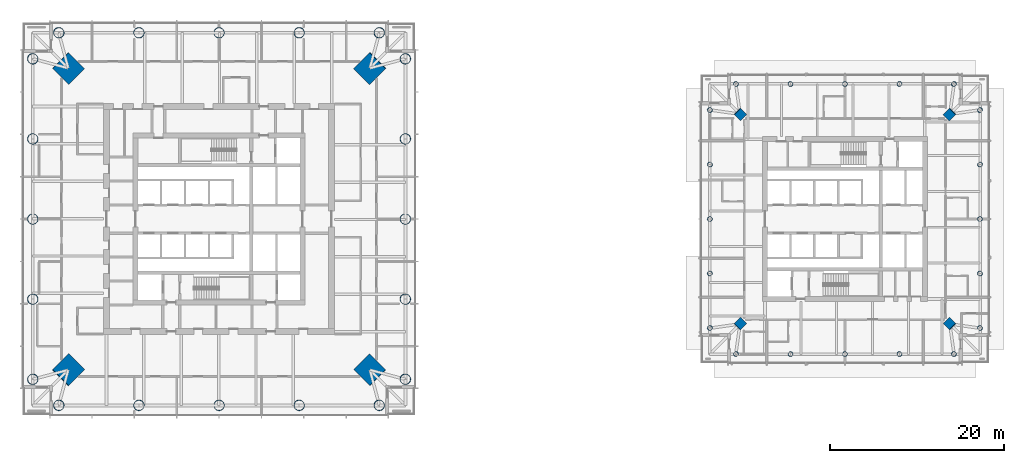
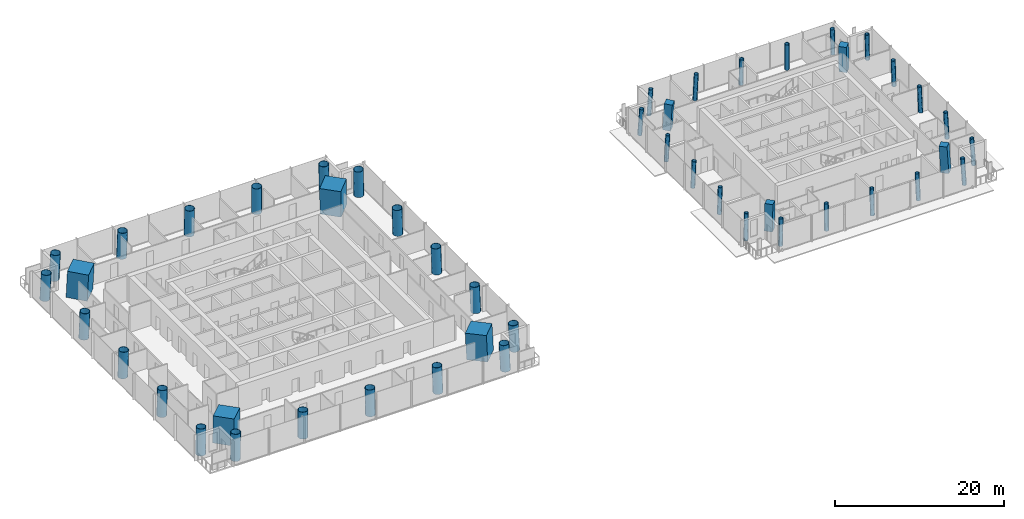
# One storey, part 1 of 20: 48 columns.
"""IFC4 building model written with IfcOpenShell, lengths in metres."""

from ifc_helpers import new_model, si_unit, direction, frame, origin, origin_2d, place, context, subcontext, project, spatial, rectangle, hollow_circle, extrude, material, material_profile, profile_set, type_object, element, save


model = new_model("IFC4")

# Units and contexts
model_context = context("Model", 3, precision=1e-05, world=origin(), true_north=direction((0.0, 1.0)))
body_context = subcontext(model_context, "Body", "Model", "MODEL_VIEW")
ifc_project = project(units=[si_unit("LENGTHUNIT", "METRE"), si_unit("AREAUNIT", "SQUARE_METRE"), si_unit("VOLUMEUNIT", "CUBIC_METRE"), si_unit("PLANEANGLEUNIT", "RADIAN"), si_unit("MASSUNIT", "GRAM", prefix="KILO")], contexts=[model_context])

# Site, building, storey
site_placement = place(None, origin())
site = spatial("IfcSite", under=ifc_project, at=site_placement, CompositionType="ELEMENT")
building_placement = place(site_placement, origin())
building = spatial("IfcBuilding", under=site, at=building_placement, Name="Ostroluk Exchange", CompositionType="ELEMENT")
storey_placement = place(building_placement, frame((0.0, 0.0, 100.800048828125)))
storey = spatial("IfcBuildingStorey", under=building, at=storey_placement, Name="L25", CompositionType="ELEMENT", Elevation=100.800048828125)

# Columns
ifc_material_1 = material(Name="Concrete C50/60", Category="concrete")
ifc_material_profile_1 = material_profile(ifc_material_1, rectangle(XDim=1.0, YDim=1.0, at=origin_2d()), Name="RC 1000x1000")
ifc_profile_set_1 = profile_set([ifc_material_profile_1], Name="Concrete C50/60")
column_type_1 = type_object("IfcColumnType", Name="Mega column RC 1000x1000", PredefinedType="COLUMN", material=ifc_profile_set_1)
for number, where, z_axis, x_axis, name in (
    (1, (129.060302734375, 58.060302734375, 0.0), (-0.043029647111, -0.043029647111, 0.998146732169), (0.707106781187, -0.707106781187, 0.0), "T2 mega column NE"),
    (2, (104.939697265625, 58.060302734375, 0.0), (0.043029647111, -0.043029647111, 0.998146732169), (0.707106781187, 0.707106781187, 0.0), "T2 mega column NW"),
    (3, (104.939697265625, 33.939697265625, 0.0), (0.043029647111, 0.043029647111, 0.998146732169), (-0.707106781187, 0.707106781187, 0.0), "T2 mega column SW"),
    (4, (129.060302734375, 33.939697265625, 0.0), (-0.043029647111, 0.043029647111, 0.998146732169), (-0.707106781187, -0.707106781187, 0.0), "T2 mega column SE"),
):
    element("IfcColumn", number, at=place(storey_placement, frame(where, z_axis=z_axis, x_axis=x_axis)), inside=storey, type_object=column_type_1, Name=name, PredefinedType="COLUMN", context=body_context, shape_type="SweptSolid", body=[
        extrude(rectangle(XDim=1.0, YDim=1.0, at=origin_2d()), origin(), (0.0, 0.0, 1.0), 3.80712890625),
    ])
ifc_material_2 = material(Name="Concrete C50/60", Category="concrete")
ifc_material_profile_2 = material_profile(ifc_material_2, rectangle(XDim=2.60009765625, YDim=2.60009765625, at=origin_2d()), Name="RC 2600x2600")
ifc_profile_set_2 = profile_set([ifc_material_profile_2], Name="Concrete C50/60")
column_type_2 = type_object("IfcColumnType", Name="Mega column RC 2600x2600", PredefinedType="COLUMN", material=ifc_profile_set_2)
for number, where, z_axis, x_axis, name in (
    (5, (62.35009765625, 63.35009765625, 0.0), (-0.031962158256, -0.031962158256, 0.998977898093), (0.707106781187, -0.707106781187, 0.0), "T1 mega column NE"),
    (6, (27.64990234375, 63.35009765625, 0.0), (0.031962158256, -0.031962158256, 0.998977898093), (0.707106781187, 0.707106781187, 0.0), "T1 mega column NW"),
    (7, (27.64990234375, 28.64990234375, 0.0), (0.031962158256, 0.031962158256, 0.998977898093), (-0.707106781187, 0.707106781187, 0.0), "T1 mega column SW"),
    (8, (62.35009765625, 28.64990234375, 0.0), (-0.031962158256, 0.031962158256, 0.998977898093), (-0.707106781187, -0.707106781187, 0.0), "T1 mega column SE"),
):
    element("IfcColumn", number, at=place(storey_placement, frame(where, z_axis=z_axis, x_axis=x_axis)), inside=storey, type_object=column_type_2, Name=name, PredefinedType="COLUMN", context=body_context, shape_type="SweptSolid", body=[
        extrude(rectangle(XDim=2.60009765625, YDim=2.60009765625, at=origin_2d()), origin(), (0.0, 0.0, 1.0), 3.803955078125),
    ])
ifc_material_3 = material(Name="Steel S460", Category="steel")
ifc_material_profile_3 = material_profile(ifc_material_3, hollow_circle(Radius=0.609619140625, WallThickness=0.0400390625, at=origin_2d()), Name="CHS 1219x40")
ifc_profile_set_3 = profile_set([ifc_material_profile_3], Name="Steel S460")
column_type_3 = type_object("IfcColumnType", Name="Perimeter column CHS 1219x40", PredefinedType="COLUMN", material=ifc_profile_set_3)
for number, where, z_axis, x_axis, name in (
    (9, (66.449951171875, 27.550048828125, 0.0), (-0.031898107953, 0.031898107953, 0.998981992539), (-0.707106781187, -0.707106781187, 0.0), "T1 east face column E0"),
    (10, (66.449951171875, 64.449951171875, 0.0), (-0.031898107953, -0.031898107953, 0.998981992539), (0.707106781187, -0.707106781187, 0.0), "T1 east face column E1"),
):
    element("IfcColumn", number, at=place(storey_placement, frame(where, z_axis=z_axis, x_axis=x_axis)), inside=storey, type_object=column_type_3, Name=name, PredefinedType="COLUMN", context=body_context, shape_type="SweptSolid", body=[
        extrude(hollow_circle(Radius=0.609619140625, WallThickness=0.0400390625, at=origin_2d()), origin(), (0.0, 0.0, 1.0), 3.803955078125),
    ])
column_1_placement = place(storey_placement, frame((66.449951171875, 36.77490234375, 0.0), z_axis=(-0.031910269556, 0.015987237665, 0.999362868496), x_axis=(-0.447933021895, -0.894067115991, 0.0)))
element("IfcColumn", 11, at=column_1_placement, inside=storey, type_object=column_type_3, Name="T1 east face column I1", PredefinedType="COLUMN", context=body_context, shape_type="SweptSolid", body=[
    extrude(hollow_circle(Radius=0.609619140625, WallThickness=0.0400390625, at=origin_2d()), origin(), (0.0, 0.0, 1.0), 3.802490234375),
])
column_2_placement = place(storey_placement, frame((66.449951171875, 46.0, 0.0), z_axis=(-0.031914348339, 0.0, 0.999490607445), x_axis=(0.0, -1.0, 0.0)))
element("IfcColumn", 12, at=column_2_placement, inside=storey, type_object=column_type_3, Name="T1 east face column I2", PredefinedType="COLUMN", context=body_context, shape_type="SweptSolid", body=[
    extrude(hollow_circle(Radius=0.609619140625, WallThickness=0.0400390625, at=origin_2d()), origin(), (0.0, 0.0, 1.0), 3.802001953125),
])
column_3_placement = place(storey_placement, frame((66.449951171875, 55.22509765625, 0.0), z_axis=(-0.031910269556, -0.015987237665, 0.999362868496), x_axis=(0.447933021895, -0.894067115991, 0.0)))
element("IfcColumn", 13, at=column_3_placement, inside=storey, type_object=column_type_3, Name="T1 east face column I3", PredefinedType="COLUMN", context=body_context, shape_type="SweptSolid", body=[
    extrude(hollow_circle(Radius=0.609619140625, WallThickness=0.0400390625, at=origin_2d()), origin(), (0.0, 0.0, 1.0), 3.802490234375),
])
for number, where, z_axis, x_axis, name in (
    (14, (63.449951171875, 67.449951171875, 0.0), (-0.031898107953, -0.031898107953, 0.998981992539), (0.707106781187, -0.707106781187, 0.0), "T1 north face column E0"),
    (15, (26.550048828125, 67.449951171875, 0.0), (0.031898107953, -0.031898107953, 0.998981992539), (0.707106781187, 0.707106781187, 0.0), "T1 north face column E1"),
):
    element("IfcColumn", number, at=place(storey_placement, frame(where, z_axis=z_axis, x_axis=x_axis)), inside=storey, type_object=column_type_3, Name=name, PredefinedType="COLUMN", context=body_context, shape_type="SweptSolid", body=[
        extrude(hollow_circle(Radius=0.609619140625, WallThickness=0.0400390625, at=origin_2d()), origin(), (0.0, 0.0, 1.0), 3.803955078125),
    ])
column_4_placement = place(storey_placement, frame((54.22509765625, 67.449951171875, 0.0), z_axis=(-0.015987237665, -0.031910269556, 0.999362868496), x_axis=(0.894067115991, -0.447933021895, 0.0)))
element("IfcColumn", 16, at=column_4_placement, inside=storey, type_object=column_type_3, Name="T1 north face column I1", PredefinedType="COLUMN", context=body_context, shape_type="SweptSolid", body=[
    extrude(hollow_circle(Radius=0.609619140625, WallThickness=0.0400390625, at=origin_2d()), origin(), (0.0, 0.0, 1.0), 3.802490234375),
])
column_5_placement = place(storey_placement, frame((45.0, 67.449951171875, 0.0), z_axis=(0.0, -0.031914348339, 0.999490607445), x_axis=(1.0, 0.0, 0.0)))
element("IfcColumn", 17, at=column_5_placement, inside=storey, type_object=column_type_3, Name="T1 north face column I2", PredefinedType="COLUMN", context=body_context, shape_type="SweptSolid", body=[
    extrude(hollow_circle(Radius=0.609619140625, WallThickness=0.0400390625, at=origin_2d()), origin(), (0.0, 0.0, 1.0), 3.802001953125),
])
column_6_placement = place(storey_placement, frame((35.77490234375, 67.449951171875, 0.0), z_axis=(0.015987237665, -0.031910269556, 0.999362868496), x_axis=(0.894067115991, 0.447933021895, 0.0)))
element("IfcColumn", 18, at=column_6_placement, inside=storey, type_object=column_type_3, Name="T1 north face column I3", PredefinedType="COLUMN", context=body_context, shape_type="SweptSolid", body=[
    extrude(hollow_circle(Radius=0.609619140625, WallThickness=0.0400390625, at=origin_2d()), origin(), (0.0, 0.0, 1.0), 3.802490234375),
])
for number, where, z_axis, x_axis, name in (
    (19, (23.550048828125, 64.449951171875, 0.0), (0.031898107953, -0.031898107953, 0.998981992539), (0.707106781187, 0.707106781187, 0.0), "T1 west face column E0"),
    (20, (23.550048828125, 27.550048828125, 0.0), (0.031898107953, 0.031898107953, 0.998981992539), (-0.707106781187, 0.707106781187, 0.0), "T1 west face column E1"),
):
    element("IfcColumn", number, at=place(storey_placement, frame(where, z_axis=z_axis, x_axis=x_axis)), inside=storey, type_object=column_type_3, Name=name, PredefinedType="COLUMN", context=body_context, shape_type="SweptSolid", body=[
        extrude(hollow_circle(Radius=0.609619140625, WallThickness=0.0400390625, at=origin_2d()), origin(), (0.0, 0.0, 1.0), 3.803955078125),
    ])
column_7_placement = place(storey_placement, frame((23.550048828125, 55.22509765625, 0.0), z_axis=(0.031910269556, -0.015987237665, 0.999362868496), x_axis=(0.447933021895, 0.894067115991, 0.0)))
element("IfcColumn", 21, at=column_7_placement, inside=storey, type_object=column_type_3, Name="T1 west face column I1", PredefinedType="COLUMN", context=body_context, shape_type="SweptSolid", body=[
    extrude(hollow_circle(Radius=0.609619140625, WallThickness=0.0400390625, at=origin_2d()), origin(), (0.0, 0.0, 1.0), 3.802490234375),
])
column_8_placement = place(storey_placement, frame((23.550048828125, 46.0, 0.0), z_axis=(0.031914348339, 0.0, 0.999490607445), x_axis=(0.0, 1.0, 0.0)))
element("IfcColumn", 22, at=column_8_placement, inside=storey, type_object=column_type_3, Name="T1 west face column I2", PredefinedType="COLUMN", context=body_context, shape_type="SweptSolid", body=[
    extrude(hollow_circle(Radius=0.609619140625, WallThickness=0.0400390625, at=origin_2d()), origin(), (0.0, 0.0, 1.0), 3.802001953125),
])
column_9_placement = place(storey_placement, frame((23.550048828125, 36.77490234375, 0.0), z_axis=(0.031910269556, 0.015987237665, 0.999362868496), x_axis=(-0.447933021895, 0.894067115991, 0.0)))
element("IfcColumn", 23, at=column_9_placement, inside=storey, type_object=column_type_3, Name="T1 west face column I3", PredefinedType="COLUMN", context=body_context, shape_type="SweptSolid", body=[
    extrude(hollow_circle(Radius=0.609619140625, WallThickness=0.0400390625, at=origin_2d()), origin(), (0.0, 0.0, 1.0), 3.802490234375),
])
for number, where, z_axis, x_axis, name in (
    (24, (26.550048828125, 24.550048828125, 0.0), (0.031898107953, 0.031898107953, 0.998981992539), (-0.707106781187, 0.707106781187, 0.0), "T1 south face column E0"),
    (25, (63.449951171875, 24.550048828125, 0.0), (-0.031898107953, 0.031898107953, 0.998981992539), (-0.707106781187, -0.707106781187, 0.0), "T1 south face column E1"),
):
    element("IfcColumn", number, at=place(storey_placement, frame(where, z_axis=z_axis, x_axis=x_axis)), inside=storey, type_object=column_type_3, Name=name, PredefinedType="COLUMN", context=body_context, shape_type="SweptSolid", body=[
        extrude(hollow_circle(Radius=0.609619140625, WallThickness=0.0400390625, at=origin_2d()), origin(), (0.0, 0.0, 1.0), 3.803955078125),
    ])
column_10_placement = place(storey_placement, frame((35.77490234375, 24.550048828125, 0.0), z_axis=(0.015987237665, 0.031910269556, 0.999362868496), x_axis=(-0.894067115991, 0.447933021895, 0.0)))
element("IfcColumn", 26, at=column_10_placement, inside=storey, type_object=column_type_3, Name="T1 south face column I1", PredefinedType="COLUMN", context=body_context, shape_type="SweptSolid", body=[
    extrude(hollow_circle(Radius=0.609619140625, WallThickness=0.0400390625, at=origin_2d()), origin(), (0.0, 0.0, 1.0), 3.802490234375),
])
column_11_placement = place(storey_placement, frame((45.0, 24.550048828125, 0.0), z_axis=(0.0, 0.031914348339, 0.999490607445), x_axis=(-1.0, 0.0, 0.0)))
element("IfcColumn", 27, at=column_11_placement, inside=storey, type_object=column_type_3, Name="T1 south face column I2", PredefinedType="COLUMN", context=body_context, shape_type="SweptSolid", body=[
    extrude(hollow_circle(Radius=0.609619140625, WallThickness=0.0400390625, at=origin_2d()), origin(), (0.0, 0.0, 1.0), 3.802001953125),
])
column_12_placement = place(storey_placement, frame((54.22509765625, 24.550048828125, 0.0), z_axis=(-0.015987237665, 0.031910269556, 0.999362868496), x_axis=(-0.894067115991, -0.447933021895, 0.0)))
element("IfcColumn", 28, at=column_12_placement, inside=storey, type_object=column_type_3, Name="T1 south face column I3", PredefinedType="COLUMN", context=body_context, shape_type="SweptSolid", body=[
    extrude(hollow_circle(Radius=0.609619140625, WallThickness=0.0400390625, at=origin_2d()), origin(), (0.0, 0.0, 1.0), 3.802490234375),
])
ifc_material_4 = material(Name="Steel S460", Category="steel")
ifc_material_profile_4 = material_profile(ifc_material_4, hollow_circle(Radius=0.279541015625, WallThickness=0.02001953125, at=origin_2d()), Name="CHS 559x20")
ifc_profile_set_4 = profile_set([ifc_material_profile_4], Name="Steel S460")
column_type_4 = type_object("IfcColumnType", Name="Perimeter column CHS 559x20", PredefinedType="COLUMN", material=ifc_profile_set_4)
for number, where, z_axis, x_axis, name in (
    (29, (132.560302734375, 33.439697265625, 0.0), (-0.043029647111, 0.043029647111, 0.998146732169), (-0.707106781187, -0.707106781187, 0.0), "T2 east face column E0"),
    (30, (132.560302734375, 58.560302734375, 0.0), (-0.043029647111, -0.043029647111, 0.998146732169), (0.707106781187, -0.707106781187, 0.0), "T2 east face column E1"),
):
    element("IfcColumn", number, at=place(storey_placement, frame(where, z_axis=z_axis, x_axis=x_axis)), inside=storey, type_object=column_type_4, Name=name, PredefinedType="COLUMN", context=body_context, shape_type="SweptSolid", body=[
        extrude(hollow_circle(Radius=0.279541015625, WallThickness=0.02001953125, at=origin_2d()), origin(), (0.0, 0.0, 1.0), 3.80712890625),
    ])
column_13_placement = place(storey_placement, frame((132.560302734375, 39.7197265625, 0.0), z_axis=(-0.043059525333, 0.021561848751, 0.998839808957), x_axis=(-0.44774654769, -0.894160516368, 0.0)))
element("IfcColumn", 31, at=column_13_placement, inside=storey, type_object=column_type_4, Name="T2 east face column I1", PredefinedType="COLUMN", context=body_context, shape_type="SweptSolid", body=[
    extrude(hollow_circle(Radius=0.279541015625, WallThickness=0.02001953125, at=origin_2d()), origin(), (0.0, 0.0, 1.0), 3.804443359375),
])
column_14_placement = place(storey_placement, frame((132.560302734375, 46.0, 0.0), z_axis=(-0.043069538298, 0.0, 0.999072076915), x_axis=(0.0, -1.0, 0.0)))
element("IfcColumn", 32, at=column_14_placement, inside=storey, type_object=column_type_4, Name="T2 east face column I2", PredefinedType="COLUMN", context=body_context, shape_type="SweptSolid", body=[
    extrude(hollow_circle(Radius=0.279541015625, WallThickness=0.02001953125, at=origin_2d()), origin(), (0.0, 0.0, 1.0), 3.803466796875),
])
column_15_placement = place(storey_placement, frame((132.560302734375, 52.2802734375, 0.0), z_axis=(-0.043059525333, -0.021561848751, 0.998839808957), x_axis=(0.44774654769, -0.894160516368, 0.0)))
element("IfcColumn", 33, at=column_15_placement, inside=storey, type_object=column_type_4, Name="T2 east face column I3", PredefinedType="COLUMN", context=body_context, shape_type="SweptSolid", body=[
    extrude(hollow_circle(Radius=0.279541015625, WallThickness=0.02001953125, at=origin_2d()), origin(), (0.0, 0.0, 1.0), 3.804443359375),
])
for number, where, z_axis, x_axis, name in (
    (34, (129.560302734375, 61.560302734375, 0.0), (-0.043029647111, -0.043029647111, 0.998146732169), (0.707106781187, -0.707106781187, 0.0), "T2 north face column E0"),
    (35, (104.439697265625, 61.560302734375, 0.0), (0.043029647111, -0.043029647111, 0.998146732169), (0.707106781187, 0.707106781187, 0.0), "T2 north face column E1"),
):
    element("IfcColumn", number, at=place(storey_placement, frame(where, z_axis=z_axis, x_axis=x_axis)), inside=storey, type_object=column_type_4, Name=name, PredefinedType="COLUMN", context=body_context, shape_type="SweptSolid", body=[
        extrude(hollow_circle(Radius=0.279541015625, WallThickness=0.02001953125, at=origin_2d()), origin(), (0.0, 0.0, 1.0), 3.80712890625),
    ])
column_16_placement = place(storey_placement, frame((123.2802734375, 61.560302734375, 0.0), z_axis=(-0.021561848751, -0.043059525333, 0.998839808957), x_axis=(0.894160516368, -0.44774654769, 0.0)))
element("IfcColumn", 36, at=column_16_placement, inside=storey, type_object=column_type_4, Name="T2 north face column I1", PredefinedType="COLUMN", context=body_context, shape_type="SweptSolid", body=[
    extrude(hollow_circle(Radius=0.279541015625, WallThickness=0.02001953125, at=origin_2d()), origin(), (0.0, 0.0, 1.0), 3.804443359375),
])
column_17_placement = place(storey_placement, frame((117.0, 61.560302734375, 0.0), z_axis=(0.0, -0.043069538298, 0.999072076915), x_axis=(1.0, 0.0, 0.0)))
element("IfcColumn", 37, at=column_17_placement, inside=storey, type_object=column_type_4, Name="T2 north face column I2", PredefinedType="COLUMN", context=body_context, shape_type="SweptSolid", body=[
    extrude(hollow_circle(Radius=0.279541015625, WallThickness=0.02001953125, at=origin_2d()), origin(), (0.0, 0.0, 1.0), 3.803466796875),
])
column_18_placement = place(storey_placement, frame((110.7197265625, 61.560302734375, 0.0), z_axis=(0.021561848751, -0.043059525333, 0.998839808957), x_axis=(0.894160516368, 0.44774654769, 0.0)))
element("IfcColumn", 38, at=column_18_placement, inside=storey, type_object=column_type_4, Name="T2 north face column I3", PredefinedType="COLUMN", context=body_context, shape_type="SweptSolid", body=[
    extrude(hollow_circle(Radius=0.279541015625, WallThickness=0.02001953125, at=origin_2d()), origin(), (0.0, 0.0, 1.0), 3.804443359375),
])
for number, where, z_axis, x_axis, name in (
    (39, (101.439697265625, 58.560302734375, 0.0), (0.043029647111, -0.043029647111, 0.998146732169), (0.707106781187, 0.707106781187, 0.0), "T2 west face column E0"),
    (40, (101.439697265625, 33.439697265625, 0.0), (0.043029647111, 0.043029647111, 0.998146732169), (-0.707106781187, 0.707106781187, 0.0), "T2 west face column E1"),
):
    element("IfcColumn", number, at=place(storey_placement, frame(where, z_axis=z_axis, x_axis=x_axis)), inside=storey, type_object=column_type_4, Name=name, PredefinedType="COLUMN", context=body_context, shape_type="SweptSolid", body=[
        extrude(hollow_circle(Radius=0.279541015625, WallThickness=0.02001953125, at=origin_2d()), origin(), (0.0, 0.0, 1.0), 3.80712890625),
    ])
column_19_placement = place(storey_placement, frame((101.439697265625, 52.2802734375, 0.0), z_axis=(0.043059525333, -0.021561848751, 0.998839808957), x_axis=(0.44774654769, 0.894160516368, 0.0)))
element("IfcColumn", 41, at=column_19_placement, inside=storey, type_object=column_type_4, Name="T2 west face column I1", PredefinedType="COLUMN", context=body_context, shape_type="SweptSolid", body=[
    extrude(hollow_circle(Radius=0.279541015625, WallThickness=0.02001953125, at=origin_2d()), origin(), (0.0, 0.0, 1.0), 3.804443359375),
])
column_20_placement = place(storey_placement, frame((101.439697265625, 46.0, 0.0), z_axis=(0.043069538298, 0.0, 0.999072076915), x_axis=(0.0, 1.0, 0.0)))
element("IfcColumn", 42, at=column_20_placement, inside=storey, type_object=column_type_4, Name="T2 west face column I2", PredefinedType="COLUMN", context=body_context, shape_type="SweptSolid", body=[
    extrude(hollow_circle(Radius=0.279541015625, WallThickness=0.02001953125, at=origin_2d()), origin(), (0.0, 0.0, 1.0), 3.803466796875),
])
column_21_placement = place(storey_placement, frame((101.439697265625, 39.7197265625, 0.0), z_axis=(0.043059525333, 0.021561848751, 0.998839808957), x_axis=(-0.44774654769, 0.894160516368, 0.0)))
element("IfcColumn", 43, at=column_21_placement, inside=storey, type_object=column_type_4, Name="T2 west face column I3", PredefinedType="COLUMN", context=body_context, shape_type="SweptSolid", body=[
    extrude(hollow_circle(Radius=0.279541015625, WallThickness=0.02001953125, at=origin_2d()), origin(), (0.0, 0.0, 1.0), 3.804443359375),
])
for number, where, z_axis, x_axis, name in (
    (44, (104.439697265625, 30.439697265625, 0.0), (0.043029647111, 0.043029647111, 0.998146732169), (-0.707106781187, 0.707106781187, 0.0), "T2 south face column E0"),
    (45, (129.560302734375, 30.439697265625, 0.0), (-0.043029647111, 0.043029647111, 0.998146732169), (-0.707106781187, -0.707106781187, 0.0), "T2 south face column E1"),
):
    element("IfcColumn", number, at=place(storey_placement, frame(where, z_axis=z_axis, x_axis=x_axis)), inside=storey, type_object=column_type_4, Name=name, PredefinedType="COLUMN", context=body_context, shape_type="SweptSolid", body=[
        extrude(hollow_circle(Radius=0.279541015625, WallThickness=0.02001953125, at=origin_2d()), origin(), (0.0, 0.0, 1.0), 3.80712890625),
    ])
column_22_placement = place(storey_placement, frame((110.7197265625, 30.439697265625, 0.0), z_axis=(0.021561848751, 0.043059525333, 0.998839808957), x_axis=(-0.894160516368, 0.44774654769, 0.0)))
element("IfcColumn", 46, at=column_22_placement, inside=storey, type_object=column_type_4, Name="T2 south face column I1", PredefinedType="COLUMN", context=body_context, shape_type="SweptSolid", body=[
    extrude(hollow_circle(Radius=0.279541015625, WallThickness=0.02001953125, at=origin_2d()), origin(), (0.0, 0.0, 1.0), 3.804443359375),
])
column_23_placement = place(storey_placement, frame((117.0, 30.439697265625, 0.0), z_axis=(0.0, 0.043069538298, 0.999072076915), x_axis=(-1.0, 0.0, 0.0)))
element("IfcColumn", 47, at=column_23_placement, inside=storey, type_object=column_type_4, Name="T2 south face column I2", PredefinedType="COLUMN", context=body_context, shape_type="SweptSolid", body=[
    extrude(hollow_circle(Radius=0.279541015625, WallThickness=0.02001953125, at=origin_2d()), origin(), (0.0, 0.0, 1.0), 3.803466796875),
])
column_24_placement = place(storey_placement, frame((123.2802734375, 30.439697265625, 0.0), z_axis=(-0.021561848751, 0.043059525333, 0.998839808957), x_axis=(-0.894160516368, -0.44774654769, 0.0)))
element("IfcColumn", 48, at=column_24_placement, inside=storey, type_object=column_type_4, Name="T2 south face column I3", PredefinedType="COLUMN", context=body_context, shape_type="SweptSolid", body=[
    extrude(hollow_circle(Radius=0.279541015625, WallThickness=0.02001953125, at=origin_2d()), origin(), (0.0, 0.0, 1.0), 3.804443359375),
])

save(model, "model.ifc")
